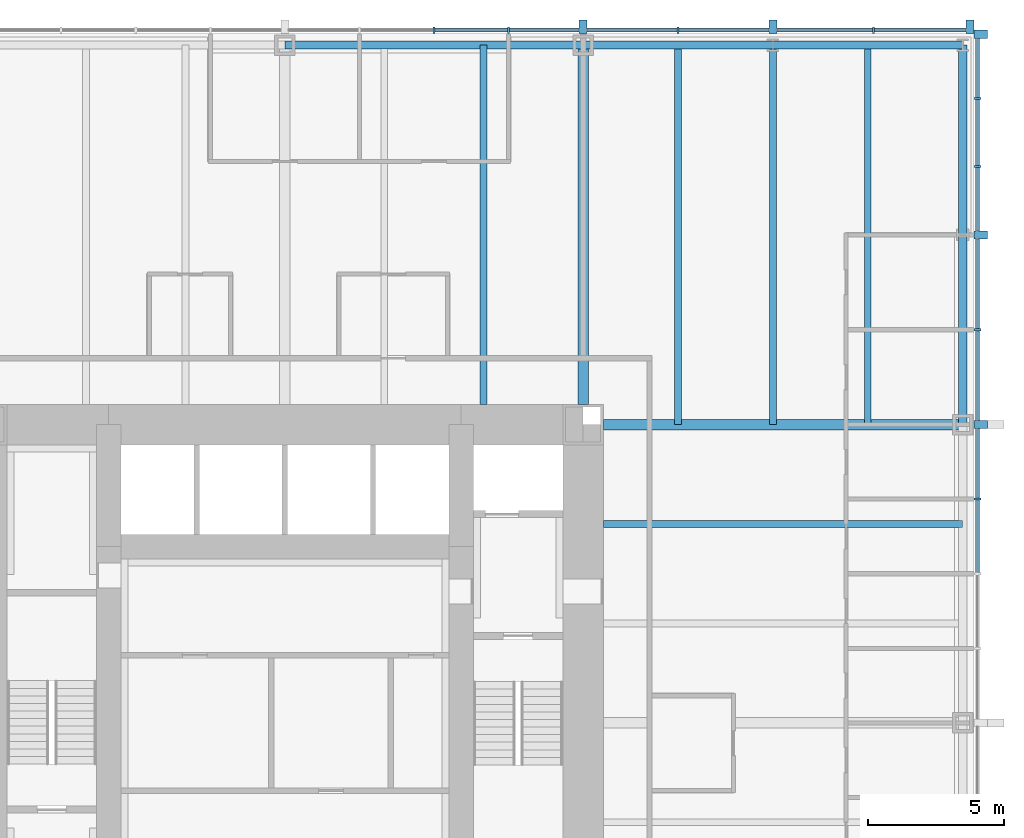
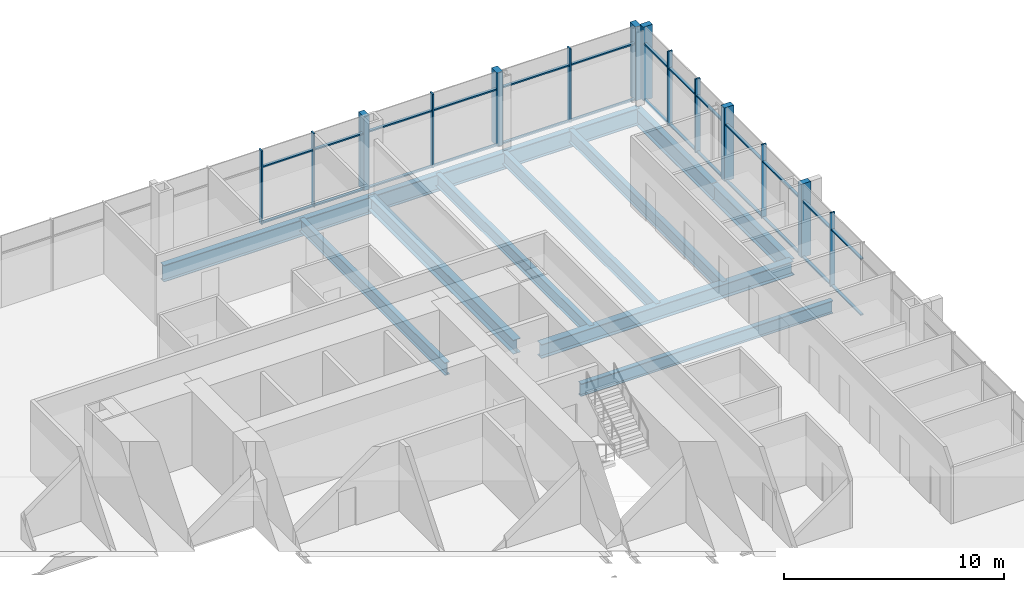
# One storey, part 6 of 12: 40 members, 12 beams, 2 elements without a shape of their own.
"""IFC4 building model written with IfcOpenShell, lengths in metres."""

from ifc_helpers import new_model, si_unit, direction, frame, origin, origin_2d, place, context, subcontext, project, spatial, rectangle, i_section, extrude, material, material_profile, profile_set, type_object, element, aggregate, save


model = new_model("IFC4")

# Units and contexts
model_context = context("Model", 3, precision=1e-05, world=origin(), true_north=direction((0.0, 1.0)))
body_context = subcontext(model_context, "Body", "Model", "MODEL_VIEW")
ifc_project = project(units=[si_unit("LENGTHUNIT", "METRE"), si_unit("AREAUNIT", "SQUARE_METRE"), si_unit("VOLUMEUNIT", "CUBIC_METRE"), si_unit("PLANEANGLEUNIT", "RADIAN"), si_unit("MASSUNIT", "GRAM", prefix="KILO")], contexts=[model_context])

# Site, building, storey
site_placement = place(None, origin())
site = spatial("IfcSite", under=ifc_project, at=site_placement, CompositionType="ELEMENT")
building_placement = place(site_placement, origin())
building = spatial("IfcBuilding", under=site, at=building_placement, Name="Trevanion Tower", CompositionType="ELEMENT")
storey_placement = place(building_placement, frame((0.0, 0.0, 44.699951171875)))
storey = spatial("IfcBuildingStorey", under=building, at=storey_placement, Name="L10", CompositionType="ELEMENT", Elevation=44.699951171875)

# Beams
ifc_material_1 = material(Name="Steel ASTM A992 Grade 50", Category="steel")
ifc_material_profile_1 = material_profile(ifc_material_1, i_section(OverallWidth=0.25390625, OverallDepth=0.700927734375, WebThickness=0.015380859375, FlangeThickness=0.02783203125, at=origin_2d()), Name="W27X129")
ifc_profile_set_1 = profile_set([ifc_material_profile_1], Name="Steel ASTM A992 Grade 50")
beam_type_1 = type_object("IfcBeamType", Name="B3 W27X129", PredefinedType="BEAM", material=ifc_profile_set_1)
for number, where, z_axis, x_axis, name in (
    (1, (11.75, 7.333251953125, -0.54052734375), (1.0, 0.0, 0.0), (0.0, 1.0, 0.0), "B3 L10"),
    (2, (7.333251953125, 11.75, -0.54052734375), (0.0, 1.0, 0.0), (-1.0, 0.0, 0.0), "B3 L10"),
):
    element("IfcBeam", number, at=place(storey_placement, frame(where, z_axis=z_axis, x_axis=x_axis)), inside=storey, type_object=beam_type_1, Name=name, PredefinedType="BEAM", context=body_context, shape_type="SweptSolid", body=[
        extrude(i_section(OverallWidth=0.25390625, OverallDepth=0.700927734375, WebThickness=0.015380859375, FlangeThickness=0.02783203125, at=origin_2d()), origin(), (0.0, 0.0, 1.0), 13.25),
    ])
ifc_material_2 = material(Name="Steel ASTM A992 Grade 50", Category="steel")
ifc_material_profile_2 = material_profile(ifc_material_2, i_section(OverallWidth=0.256591796875, OverallDepth=0.693359375, WebThickness=0.014404296875, FlangeThickness=0.023681640625, at=origin_2d()), Name="W27X114")
ifc_profile_set_2 = profile_set([ifc_material_profile_2], Name="Steel ASTM A992 Grade 50")
beam_type_2 = type_object("IfcBeamType", Name="B4 W27X114", PredefinedType="BEAM", material=ifc_profile_set_2)
for number, where, z_axis, x_axis, name in (
    (3, (14.5, 11.0, -0.53662109375), (0.0, 1.0, 0.0), (-1.0, 0.0, 0.0), "B4 L10"),
    (4, (18.0, 11.0, -0.53662109375), (0.0, 1.0, 0.0), (-1.0, 0.0, 0.0), "B4 L10"),
    (5, (21.5, 11.0, -0.53662109375), (0.0, 1.0, 0.0), (-1.0, 0.0, 0.0), "B4 L10"),
):
    element("IfcBeam", number, at=place(storey_placement, frame(where, z_axis=z_axis, x_axis=x_axis)), inside=storey, type_object=beam_type_2, Name=name, PredefinedType="BEAM", context=body_context, shape_type="SweptSolid", body=[
        extrude(i_section(OverallWidth=0.256591796875, OverallDepth=0.693359375, WebThickness=0.014404296875, FlangeThickness=0.023681640625, at=origin_2d()), origin(), (0.0, 0.0, 1.0), 14.0),
    ])

# Curtain wall, members
ifc_material_3 = material(Name="Aluminium and glass", Category="aluminium")
curtain_wall_type = type_object("IfcCurtainWallType", Name="CW1 curtain wall", PredefinedType="USERDEFINED", material=ifc_material_3)
curtain_wall_1_placement = place(storey_placement, origin())
curtain_wall_1 = element("IfcCurtainWall", 6, at=curtain_wall_1_placement, inside=storey, type_object=curtain_wall_type, Name="CW1 L10 0", ObjectType="UNITISED CURTAIN WALL", PredefinedType="USERDEFINED")
ifc_material_4 = material(Name="Aluminium extrusion, anodised bronze", Category="aluminium")
ifc_material_profile_3 = material_profile(ifc_material_4, rectangle(XDim=0.074951171875, YDim=0.25, at=origin_2d()), Name="CW1 mullion")
ifc_profile_set_3 = profile_set([ifc_material_profile_3], Name="Aluminium extrusion, anodised bronze")
member_type_1 = type_object("IfcMemberType", Name="CW1 mullion", PredefinedType="MULLION", material=ifc_profile_set_3)
member_1_placement = place(storey_placement, frame((25.550048828125, 8.25, -0.18994140625), z_axis=(0.0, 0.0, 1.0), x_axis=(0.0, 1.0, 0.0)))
member_1 = element("IfcMember", 7, at=member_1_placement, type_object=member_type_1, Name="CW1 mullion 12", PredefinedType="MULLION", context=body_context, shape_type="SweptSolid", body=[
    extrude(rectangle(XDim=0.074951171875, YDim=0.25, at=origin_2d()), origin(), (0.0, 0.0, 1.0), 4.10009765625),
])
member_2_placement = place(storey_placement, frame((25.550048828125, 14.5, -0.18994140625), z_axis=(0.0, 0.0, 1.0), x_axis=(0.0, 1.0, 0.0)))
member_2 = element("IfcMember", 8, at=member_2_placement, type_object=member_type_1, Name="CW1 mullion 14", PredefinedType="MULLION", context=body_context, shape_type="SweptSolid", body=[
    extrude(rectangle(XDim=0.074951171875, YDim=0.25, at=origin_2d()), origin(), (0.0, 0.0, 1.0), 4.10009765625),
])
member_3_placement = place(storey_placement, frame((25.550048828125, 20.5166015625, -0.18994140625), z_axis=(0.0, 0.0, 1.0), x_axis=(0.0, 1.0, 0.0)))
member_3 = element("IfcMember", 9, at=member_3_placement, type_object=member_type_1, Name="CW1 mullion 16", PredefinedType="MULLION", context=body_context, shape_type="SweptSolid", body=[
    extrude(rectangle(XDim=0.074951171875, YDim=0.25, at=origin_2d()), origin(), (0.0, 0.0, 1.0), 4.10009765625),
])
member_4_placement = place(storey_placement, frame((25.550048828125, 23.033203125, -0.18994140625), z_axis=(0.0, 0.0, 1.0), x_axis=(0.0, 1.0, 0.0)))
member_4 = element("IfcMember", 10, at=member_4_placement, type_object=member_type_1, Name="CW1 mullion 17", PredefinedType="MULLION", context=body_context, shape_type="SweptSolid", body=[
    extrude(rectangle(XDim=0.074951171875, YDim=0.25, at=origin_2d()), origin(), (0.0, 0.0, 1.0), 4.10009765625),
])

curtain_wall_2_placement = place(storey_placement, origin())
curtain_wall_2 = element("IfcCurtainWall", 11, at=curtain_wall_2_placement, inside=storey, type_object=curtain_wall_type, Name="CW1 L10 1", ObjectType="UNITISED CURTAIN WALL", PredefinedType="USERDEFINED")
member_5_placement = place(storey_placement, frame((21.7099609375, 25.550048828125, -0.18994140625), z_axis=(0.0, 0.0, 1.0), x_axis=(-1.0, 0.0, 0.0)))
member_5 = element("IfcMember", 12, at=member_5_placement, type_object=member_type_1, Name="CW1 mullion 2", PredefinedType="MULLION", context=body_context, shape_type="SweptSolid", body=[
    extrude(rectangle(XDim=0.074951171875, YDim=0.25, at=origin_2d()), origin(), (0.0, 0.0, 1.0), 4.10009765625),
])
member_6_placement = place(storey_placement, frame((14.5, 25.550048828125, -0.18994140625), z_axis=(0.0, 0.0, 1.0), x_axis=(-1.0, 0.0, 0.0)))
member_6 = element("IfcMember", 13, at=member_6_placement, type_object=member_type_1, Name="CW1 mullion 4", PredefinedType="MULLION", context=body_context, shape_type="SweptSolid", body=[
    extrude(rectangle(XDim=0.074951171875, YDim=0.25, at=origin_2d()), origin(), (0.0, 0.0, 1.0), 4.10009765625),
])
member_7_placement = place(storey_placement, frame((8.25, 25.550048828125, -0.18994140625), z_axis=(0.0, 0.0, 1.0), x_axis=(-1.0, 0.0, 0.0)))
member_7 = element("IfcMember", 14, at=member_7_placement, type_object=member_type_1, Name="CW1 mullion 6", PredefinedType="MULLION", context=body_context, shape_type="SweptSolid", body=[
    extrude(rectangle(XDim=0.074951171875, YDim=0.25, at=origin_2d()), origin(), (0.0, 0.0, 1.0), 4.10009765625),
])
member_8_placement = place(storey_placement, frame((5.5, 25.550048828125, -0.18994140625), z_axis=(0.0, 0.0, 1.0), x_axis=(-1.0, 0.0, 0.0)))
member_8 = element("IfcMember", 15, at=member_8_placement, type_object=member_type_1, Name="CW1 mullion 7", PredefinedType="MULLION", context=body_context, shape_type="SweptSolid", body=[
    extrude(rectangle(XDim=0.074951171875, YDim=0.25, at=origin_2d()), origin(), (0.0, 0.0, 1.0), 4.10009765625),
])

# Member
ifc_material_5 = material(Name="Aluminium extrusion, anodised bronze", Category="aluminium")
ifc_material_profile_4 = material_profile(ifc_material_5, rectangle(XDim=0.300048828125, YDim=0.5, at=origin_2d()), Name="CW1 pier mullion")
ifc_profile_set_4 = profile_set([ifc_material_profile_4], Name="Aluminium extrusion, anodised bronze")
member_type_2 = type_object("IfcMemberType", Name="CW1 pier mullion", PredefinedType="MULLION", material=ifc_profile_set_4)
member_9_placement = place(storey_placement, frame((25.675048828125, 11.0, -0.18994140625), z_axis=(0.0, 0.0, 1.0), x_axis=(0.0, 1.0, 0.0)))
member_9 = element("IfcMember", 16, at=member_9_placement, type_object=member_type_2, Name="CW1 pier mullion 13", PredefinedType="MULLION", context=body_context, shape_type="SweptSolid", body=[
    extrude(rectangle(XDim=0.300048828125, YDim=0.5, at=origin_2d()), origin(), (0.0, 0.0, 1.0), 4.10009765625),
])

member_10_placement = place(storey_placement, frame((25.675048828125, 18.0, -0.18994140625), z_axis=(0.0, 0.0, 1.0), x_axis=(0.0, 1.0, 0.0)))
member_10 = element("IfcMember", 17, at=member_10_placement, type_object=member_type_2, Name="CW1 pier mullion 15", PredefinedType="MULLION", context=body_context, shape_type="SweptSolid", body=[
    extrude(rectangle(XDim=0.300048828125, YDim=0.5, at=origin_2d()), origin(), (0.0, 0.0, 1.0), 4.10009765625),
])

member_11_placement = place(storey_placement, frame((25.675048828125, 25.39990234375, -0.18994140625), z_axis=(0.0, 0.0, 1.0), x_axis=(0.0, 1.0, 0.0)))
member_11 = element("IfcMember", 18, at=member_11_placement, type_object=member_type_2, Name="CW1 pier mullion 18", PredefinedType="MULLION", context=body_context, shape_type="SweptSolid", body=[
    extrude(rectangle(XDim=0.300048828125, YDim=0.5, at=origin_2d()), origin(), (0.0, 0.0, 1.0), 4.10009765625),
])

member_12_placement = place(storey_placement, frame((25.27001953125, 25.675048828125, -0.18994140625), z_axis=(0.0, 0.0, 1.0), x_axis=(-1.0, 0.0, 0.0)))
member_12 = element("IfcMember", 19, at=member_12_placement, type_object=member_type_2, Name="CW1 pier mullion 1", PredefinedType="MULLION", context=body_context, shape_type="SweptSolid", body=[
    extrude(rectangle(XDim=0.300048828125, YDim=0.5, at=origin_2d()), origin(), (0.0, 0.0, 1.0), 4.10009765625),
])

member_13_placement = place(storey_placement, frame((18.0, 25.675048828125, -0.18994140625), z_axis=(0.0, 0.0, 1.0), x_axis=(-1.0, 0.0, 0.0)))
member_13 = element("IfcMember", 20, at=member_13_placement, type_object=member_type_2, Name="CW1 pier mullion 3", PredefinedType="MULLION", context=body_context, shape_type="SweptSolid", body=[
    extrude(rectangle(XDim=0.300048828125, YDim=0.5, at=origin_2d()), origin(), (0.0, 0.0, 1.0), 4.10009765625),
])

member_14_placement = place(storey_placement, frame((11.0, 25.675048828125, -0.18994140625), z_axis=(0.0, 0.0, 1.0), x_axis=(-1.0, 0.0, 0.0)))
member_14 = element("IfcMember", 21, at=member_14_placement, type_object=member_type_2, Name="CW1 pier mullion 5", PredefinedType="MULLION", context=body_context, shape_type="SweptSolid", body=[
    extrude(rectangle(XDim=0.300048828125, YDim=0.5, at=origin_2d()), origin(), (0.0, 0.0, 1.0), 4.10009765625),
])

ifc_material_6 = material(Name="Aluminium extrusion, anodised bronze", Category="aluminium")
ifc_material_profile_5 = material_profile(ifc_material_6, rectangle(XDim=0.14990234375, YDim=0.074951171875, at=origin_2d()), Name="CW1 transom")
ifc_profile_set_5 = profile_set([ifc_material_profile_5], Name="Aluminium extrusion, anodised bronze")
member_type_3 = type_object("IfcMemberType", Name="CW1 transom", PredefinedType="USERDEFINED", material=ifc_profile_set_5)
member_15_placement = place(storey_placement, frame((25.550048828125, 5.53759765625, -0.15234375), z_axis=(0.0, 1.0, 0.0), x_axis=(-1.0, 0.0, 0.0)))
member_15 = element("IfcMember", 22, at=member_15_placement, type_object=member_type_3, Name="CW1 transom 11.1", ObjectType="TRANSOM", PredefinedType="USERDEFINED", context=body_context, shape_type="SweptSolid", body=[
    extrude(rectangle(XDim=0.14990234375, YDim=0.074951171875, at=origin_2d()), origin(), (0.0, 0.0, 1.0), 2.6748046875),
])

member_16_placement = place(storey_placement, frame((25.550048828125, 5.53759765625, 2.9599609375), z_axis=(0.0, 1.0, 0.0), x_axis=(-1.0, 0.0, 0.0)))
member_16 = element("IfcMember", 23, at=member_16_placement, type_object=member_type_3, Name="CW1 transom 11.2", ObjectType="TRANSOM", PredefinedType="USERDEFINED", context=body_context, shape_type="SweptSolid", body=[
    extrude(rectangle(XDim=0.14990234375, YDim=0.074951171875, at=origin_2d()), origin(), (0.0, 0.0, 1.0), 2.6748046875),
])

member_17_placement = place(storey_placement, frame((25.550048828125, 8.28759765625, -0.15234375), z_axis=(0.0, 1.0, 0.0), x_axis=(-1.0, 0.0, 0.0)))
member_17 = element("IfcMember", 24, at=member_17_placement, type_object=member_type_3, Name="CW1 transom 12.1", ObjectType="TRANSOM", PredefinedType="USERDEFINED", context=body_context, shape_type="SweptSolid", body=[
    extrude(rectangle(XDim=0.14990234375, YDim=0.074951171875, at=origin_2d()), origin(), (0.0, 0.0, 1.0), 2.5625),
])

member_18_placement = place(storey_placement, frame((25.550048828125, 8.28759765625, 2.9599609375), z_axis=(0.0, 1.0, 0.0), x_axis=(-1.0, 0.0, 0.0)))
member_18 = element("IfcMember", 25, at=member_18_placement, type_object=member_type_3, Name="CW1 transom 12.2", ObjectType="TRANSOM", PredefinedType="USERDEFINED", context=body_context, shape_type="SweptSolid", body=[
    extrude(rectangle(XDim=0.14990234375, YDim=0.074951171875, at=origin_2d()), origin(), (0.0, 0.0, 1.0), 2.5625),
])

member_19_placement = place(storey_placement, frame((25.550048828125, 11.14990234375, -0.15234375), z_axis=(0.0, 1.0, 0.0), x_axis=(-1.0, 0.0, 0.0)))
member_19 = element("IfcMember", 26, at=member_19_placement, type_object=member_type_3, Name="CW1 transom 13.1", ObjectType="TRANSOM", PredefinedType="USERDEFINED", context=body_context, shape_type="SweptSolid", body=[
    extrude(rectangle(XDim=0.14990234375, YDim=0.074951171875, at=origin_2d()), origin(), (0.0, 0.0, 1.0), 3.3125),
])

member_20_placement = place(storey_placement, frame((25.550048828125, 11.14990234375, 2.9599609375), z_axis=(0.0, 1.0, 0.0), x_axis=(-1.0, 0.0, 0.0)))
member_20 = element("IfcMember", 27, at=member_20_placement, type_object=member_type_3, Name="CW1 transom 13.2", ObjectType="TRANSOM", PredefinedType="USERDEFINED", context=body_context, shape_type="SweptSolid", body=[
    extrude(rectangle(XDim=0.14990234375, YDim=0.074951171875, at=origin_2d()), origin(), (0.0, 0.0, 1.0), 3.3125),
])

member_21_placement = place(storey_placement, frame((25.550048828125, 14.53759765625, -0.15234375), z_axis=(0.0, 1.0, 0.0), x_axis=(-1.0, 0.0, 0.0)))
member_21 = element("IfcMember", 28, at=member_21_placement, type_object=member_type_3, Name="CW1 transom 14.1", ObjectType="TRANSOM", PredefinedType="USERDEFINED", context=body_context, shape_type="SweptSolid", body=[
    extrude(rectangle(XDim=0.14990234375, YDim=0.074951171875, at=origin_2d()), origin(), (0.0, 0.0, 1.0), 3.3125),
])

member_22_placement = place(storey_placement, frame((25.550048828125, 14.53759765625, 2.9599609375), z_axis=(0.0, 1.0, 0.0), x_axis=(-1.0, 0.0, 0.0)))
member_22 = element("IfcMember", 29, at=member_22_placement, type_object=member_type_3, Name="CW1 transom 14.2", ObjectType="TRANSOM", PredefinedType="USERDEFINED", context=body_context, shape_type="SweptSolid", body=[
    extrude(rectangle(XDim=0.14990234375, YDim=0.074951171875, at=origin_2d()), origin(), (0.0, 0.0, 1.0), 3.3125),
])

member_23_placement = place(storey_placement, frame((25.550048828125, 18.14990234375, -0.15234375), z_axis=(0.0, 1.0, 0.0), x_axis=(-1.0, 0.0, 0.0)))
member_23 = element("IfcMember", 30, at=member_23_placement, type_object=member_type_3, Name="CW1 transom 15.1", ObjectType="TRANSOM", PredefinedType="USERDEFINED", context=body_context, shape_type="SweptSolid", body=[
    extrude(rectangle(XDim=0.14990234375, YDim=0.074951171875, at=origin_2d()), origin(), (0.0, 0.0, 1.0), 2.329345703125),
])

member_24_placement = place(storey_placement, frame((25.550048828125, 18.14990234375, 2.9599609375), z_axis=(0.0, 1.0, 0.0), x_axis=(-1.0, 0.0, 0.0)))
member_24 = element("IfcMember", 31, at=member_24_placement, type_object=member_type_3, Name="CW1 transom 15.2", ObjectType="TRANSOM", PredefinedType="USERDEFINED", context=body_context, shape_type="SweptSolid", body=[
    extrude(rectangle(XDim=0.14990234375, YDim=0.074951171875, at=origin_2d()), origin(), (0.0, 0.0, 1.0), 2.329345703125),
])

member_25_placement = place(storey_placement, frame((25.550048828125, 20.55419921875, -0.15234375), z_axis=(0.0, 1.0, 0.0), x_axis=(-1.0, 0.0, 0.0)))
member_25 = element("IfcMember", 32, at=member_25_placement, type_object=member_type_3, Name="CW1 transom 16.1", ObjectType="TRANSOM", PredefinedType="USERDEFINED", context=body_context, shape_type="SweptSolid", body=[
    extrude(rectangle(XDim=0.14990234375, YDim=0.074951171875, at=origin_2d()), origin(), (0.0, 0.0, 1.0), 2.441650390625),
])

member_26_placement = place(storey_placement, frame((25.550048828125, 20.55419921875, 2.9599609375), z_axis=(0.0, 1.0, 0.0), x_axis=(-1.0, 0.0, 0.0)))
member_26 = element("IfcMember", 33, at=member_26_placement, type_object=member_type_3, Name="CW1 transom 16.2", ObjectType="TRANSOM", PredefinedType="USERDEFINED", context=body_context, shape_type="SweptSolid", body=[
    extrude(rectangle(XDim=0.14990234375, YDim=0.074951171875, at=origin_2d()), origin(), (0.0, 0.0, 1.0), 2.441650390625),
])

member_27_placement = place(storey_placement, frame((25.550048828125, 23.07080078125, -0.15234375), z_axis=(0.0, 1.0, 0.0), x_axis=(-1.0, 0.0, 0.0)))
member_27 = element("IfcMember", 34, at=member_27_placement, type_object=member_type_3, Name="CW1 transom 17.1", ObjectType="TRANSOM", PredefinedType="USERDEFINED", context=body_context, shape_type="SweptSolid", body=[
    extrude(rectangle(XDim=0.14990234375, YDim=0.074951171875, at=origin_2d()), origin(), (0.0, 0.0, 1.0), 2.17919921875),
])

member_28_placement = place(storey_placement, frame((25.550048828125, 23.07080078125, 2.9599609375), z_axis=(0.0, 1.0, 0.0), x_axis=(-1.0, 0.0, 0.0)))
member_28 = element("IfcMember", 35, at=member_28_placement, type_object=member_type_3, Name="CW1 transom 17.2", ObjectType="TRANSOM", PredefinedType="USERDEFINED", context=body_context, shape_type="SweptSolid", body=[
    extrude(rectangle(XDim=0.14990234375, YDim=0.074951171875, at=origin_2d()), origin(), (0.0, 0.0, 1.0), 2.17919921875),
])

aggregate(curtain_wall_1, [member_1, member_9, member_2, member_10, member_3, member_4, member_11, member_15, member_16, member_17, member_18, member_19, member_20, member_21, member_22, member_23, member_24, member_25, member_26, member_27, member_28])

member_29_placement = place(storey_placement, frame((25.1201171875, 25.550048828125, -0.15234375), z_axis=(-1.0, 0.0, 0.0), x_axis=(0.0, -1.0, 0.0)))
member_29 = element("IfcMember", 36, at=member_29_placement, type_object=member_type_3, Name="CW1 transom 1.1", ObjectType="TRANSOM", PredefinedType="USERDEFINED", context=body_context, shape_type="SweptSolid", body=[
    extrude(rectangle(XDim=0.14990234375, YDim=0.074951171875, at=origin_2d()), origin(), (0.0, 0.0, 1.0), 3.37255859375),
])

member_30_placement = place(storey_placement, frame((25.1201171875, 25.550048828125, 2.9599609375), z_axis=(-1.0, 0.0, 0.0), x_axis=(0.0, -1.0, 0.0)))
member_30 = element("IfcMember", 37, at=member_30_placement, type_object=member_type_3, Name="CW1 transom 1.2", ObjectType="TRANSOM", PredefinedType="USERDEFINED", context=body_context, shape_type="SweptSolid", body=[
    extrude(rectangle(XDim=0.14990234375, YDim=0.074951171875, at=origin_2d()), origin(), (0.0, 0.0, 1.0), 3.37255859375),
])

member_31_placement = place(storey_placement, frame((21.672607421875, 25.550048828125, -0.15234375), z_axis=(-1.0, 0.0, 0.0), x_axis=(0.0, -1.0, 0.0)))
member_31 = element("IfcMember", 38, at=member_31_placement, type_object=member_type_3, Name="CW1 transom 2.1", ObjectType="TRANSOM", PredefinedType="USERDEFINED", context=body_context, shape_type="SweptSolid", body=[
    extrude(rectangle(XDim=0.14990234375, YDim=0.074951171875, at=origin_2d()), origin(), (0.0, 0.0, 1.0), 3.522705078125),
])

member_32_placement = place(storey_placement, frame((21.672607421875, 25.550048828125, 2.9599609375), z_axis=(-1.0, 0.0, 0.0), x_axis=(0.0, -1.0, 0.0)))
member_32 = element("IfcMember", 39, at=member_32_placement, type_object=member_type_3, Name="CW1 transom 2.2", ObjectType="TRANSOM", PredefinedType="USERDEFINED", context=body_context, shape_type="SweptSolid", body=[
    extrude(rectangle(XDim=0.14990234375, YDim=0.074951171875, at=origin_2d()), origin(), (0.0, 0.0, 1.0), 3.522705078125),
])

member_33_placement = place(storey_placement, frame((17.85009765625, 25.550048828125, -0.15234375), z_axis=(-1.0, 0.0, 0.0), x_axis=(0.0, -1.0, 0.0)))
member_33 = element("IfcMember", 40, at=member_33_placement, type_object=member_type_3, Name="CW1 transom 3.1", ObjectType="TRANSOM", PredefinedType="USERDEFINED", context=body_context, shape_type="SweptSolid", body=[
    extrude(rectangle(XDim=0.14990234375, YDim=0.074951171875, at=origin_2d()), origin(), (0.0, 0.0, 1.0), 3.3125),
])

member_34_placement = place(storey_placement, frame((17.85009765625, 25.550048828125, 2.9599609375), z_axis=(-1.0, 0.0, 0.0), x_axis=(0.0, -1.0, 0.0)))
member_34 = element("IfcMember", 41, at=member_34_placement, type_object=member_type_3, Name="CW1 transom 3.2", ObjectType="TRANSOM", PredefinedType="USERDEFINED", context=body_context, shape_type="SweptSolid", body=[
    extrude(rectangle(XDim=0.14990234375, YDim=0.074951171875, at=origin_2d()), origin(), (0.0, 0.0, 1.0), 3.3125),
])

member_35_placement = place(storey_placement, frame((14.46240234375, 25.550048828125, -0.15234375), z_axis=(-1.0, 0.0, 0.0), x_axis=(0.0, -1.0, 0.0)))
member_35 = element("IfcMember", 42, at=member_35_placement, type_object=member_type_3, Name="CW1 transom 4.1", ObjectType="TRANSOM", PredefinedType="USERDEFINED", context=body_context, shape_type="SweptSolid", body=[
    extrude(rectangle(XDim=0.14990234375, YDim=0.074951171875, at=origin_2d()), origin(), (0.0, 0.0, 1.0), 3.3125),
])

member_36_placement = place(storey_placement, frame((14.46240234375, 25.550048828125, 2.9599609375), z_axis=(-1.0, 0.0, 0.0), x_axis=(0.0, -1.0, 0.0)))
member_36 = element("IfcMember", 43, at=member_36_placement, type_object=member_type_3, Name="CW1 transom 4.2", ObjectType="TRANSOM", PredefinedType="USERDEFINED", context=body_context, shape_type="SweptSolid", body=[
    extrude(rectangle(XDim=0.14990234375, YDim=0.074951171875, at=origin_2d()), origin(), (0.0, 0.0, 1.0), 3.3125),
])

member_37_placement = place(storey_placement, frame((10.85009765625, 25.550048828125, -0.15234375), z_axis=(-1.0, 0.0, 0.0), x_axis=(0.0, -1.0, 0.0)))
member_37 = element("IfcMember", 44, at=member_37_placement, type_object=member_type_3, Name="CW1 transom 5.1", ObjectType="TRANSOM", PredefinedType="USERDEFINED", context=body_context, shape_type="SweptSolid", body=[
    extrude(rectangle(XDim=0.14990234375, YDim=0.074951171875, at=origin_2d()), origin(), (0.0, 0.0, 1.0), 2.5625),
])

member_38_placement = place(storey_placement, frame((10.85009765625, 25.550048828125, 2.9599609375), z_axis=(-1.0, 0.0, 0.0), x_axis=(0.0, -1.0, 0.0)))
member_38 = element("IfcMember", 45, at=member_38_placement, type_object=member_type_3, Name="CW1 transom 5.2", ObjectType="TRANSOM", PredefinedType="USERDEFINED", context=body_context, shape_type="SweptSolid", body=[
    extrude(rectangle(XDim=0.14990234375, YDim=0.074951171875, at=origin_2d()), origin(), (0.0, 0.0, 1.0), 2.5625),
])

member_39_placement = place(storey_placement, frame((8.21240234375, 25.550048828125, -0.15234375), z_axis=(-1.0, 0.0, 0.0), x_axis=(0.0, -1.0, 0.0)))
member_39 = element("IfcMember", 46, at=member_39_placement, type_object=member_type_3, Name="CW1 transom 6.1", ObjectType="TRANSOM", PredefinedType="USERDEFINED", context=body_context, shape_type="SweptSolid", body=[
    extrude(rectangle(XDim=0.14990234375, YDim=0.074951171875, at=origin_2d()), origin(), (0.0, 0.0, 1.0), 2.6748046875),
])

member_40_placement = place(storey_placement, frame((8.21240234375, 25.550048828125, 2.9599609375), z_axis=(-1.0, 0.0, 0.0), x_axis=(0.0, -1.0, 0.0)))
member_40 = element("IfcMember", 47, at=member_40_placement, type_object=member_type_3, Name="CW1 transom 6.2", ObjectType="TRANSOM", PredefinedType="USERDEFINED", context=body_context, shape_type="SweptSolid", body=[
    extrude(rectangle(XDim=0.14990234375, YDim=0.074951171875, at=origin_2d()), origin(), (0.0, 0.0, 1.0), 2.6748046875),
])

aggregate(curtain_wall_2, [member_12, member_5, member_13, member_6, member_14, member_7, member_8, member_29, member_30, member_31, member_32, member_33, member_34, member_35, member_36, member_37, member_38, member_39, member_40])

# Beams
ifc_material_7 = material(Name="Steel ASTM A992 Grade 50", Category="steel")
ifc_material_profile_6 = material_profile(ifc_material_7, i_section(OverallWidth=0.381103515625, OverallDepth=0.77978515625, WebThickness=0.01806640625, FlangeThickness=0.0302734375, at=origin_2d()), Name="W30X191")
ifc_profile_set_6 = profile_set([ifc_material_profile_6], Name="Steel ASTM A992 Grade 50")
beam_type_3 = type_object("IfcBeamType", Name="G2 W30X191", PredefinedType="BEAM", material=ifc_profile_set_6)
for number, where, z_axis, x_axis, name in (
    (48, (11.75, 11.0, -0.579833984375), (1.0, 0.0, 0.0), (0.0, 1.0, 0.0), "G2 L10"),
    (49, (11.0, 11.75, -0.579833984375), (0.0, 1.0, 0.0), (-1.0, 0.0, 0.0), "G2 L10"),
):
    element("IfcBeam", number, at=place(storey_placement, frame(where, z_axis=z_axis, x_axis=x_axis)), inside=storey, type_object=beam_type_3, Name=name, PredefinedType="BEAM", context=body_context, shape_type="SweptSolid", body=[
        extrude(i_section(OverallWidth=0.381103515625, OverallDepth=0.77978515625, WebThickness=0.01806640625, FlangeThickness=0.0302734375, at=origin_2d()), origin(), (0.0, 0.0, 1.0), 13.25),
    ])
ifc_material_8 = material(Name="Steel ASTM A992 Grade 50", Category="steel")
ifc_material_profile_7 = material_profile(ifc_material_8, i_section(OverallWidth=0.307373046875, OverallDepth=0.927001953125, WebThickness=0.01953125, FlangeThickness=0.031982421875, at=origin_2d()), Name="W36X194")
ifc_profile_set_7 = profile_set([ifc_material_profile_7], Name="Steel ASTM A992 Grade 50")
beam_type_4 = type_object("IfcBeamType", Name="SB2 W36X194", PredefinedType="SPANDREL", material=ifc_profile_set_7)
for number, where, z_axis, x_axis, name in (
    (50, (25.0, 11.0, -0.653564453125), (0.0, 1.0, 0.0), (-1.0, 0.0, 0.0), "SB2 L10"),
    (51, (25.0, 18.0, -0.653564453125), (0.0, 1.0, 0.0), (-1.0, 0.0, 0.0), "SB2 L10"),
    (52, (25.0, 25.0, -0.653564453125), (-1.0, 0.0, 0.0), (0.0, -1.0, 0.0), "SB2 L10"),
    (53, (18.0, 25.0, -0.653564453125), (-1.0, 0.0, 0.0), (0.0, -1.0, 0.0), "SB2 L10"),
):
    element("IfcBeam", number, at=place(storey_placement, frame(where, z_axis=z_axis, x_axis=x_axis)), inside=storey, type_object=beam_type_4, Name=name, PredefinedType="SPANDREL", context=body_context, shape_type="SweptSolid", body=[
        extrude(i_section(OverallWidth=0.307373046875, OverallDepth=0.927001953125, WebThickness=0.01953125, FlangeThickness=0.031982421875, at=origin_2d()), origin(), (0.0, 0.0, 1.0), 7.0),
    ])
beam_placement = place(storey_placement, frame((11.0, 25.0, -0.653564453125), z_axis=(-1.0, 0.0, 0.0), x_axis=(0.0, -1.0, 0.0)))
element("IfcBeam", 54, at=beam_placement, inside=storey, type_object=beam_type_4, Name="SB2 L10", PredefinedType="SPANDREL", context=body_context, shape_type="SweptSolid", body=[
    extrude(i_section(OverallWidth=0.307373046875, OverallDepth=0.927001953125, WebThickness=0.01953125, FlangeThickness=0.031982421875, at=origin_2d()), origin(), (0.0, 0.0, 1.0), 11.0),
])

save(model, "model.ifc")
